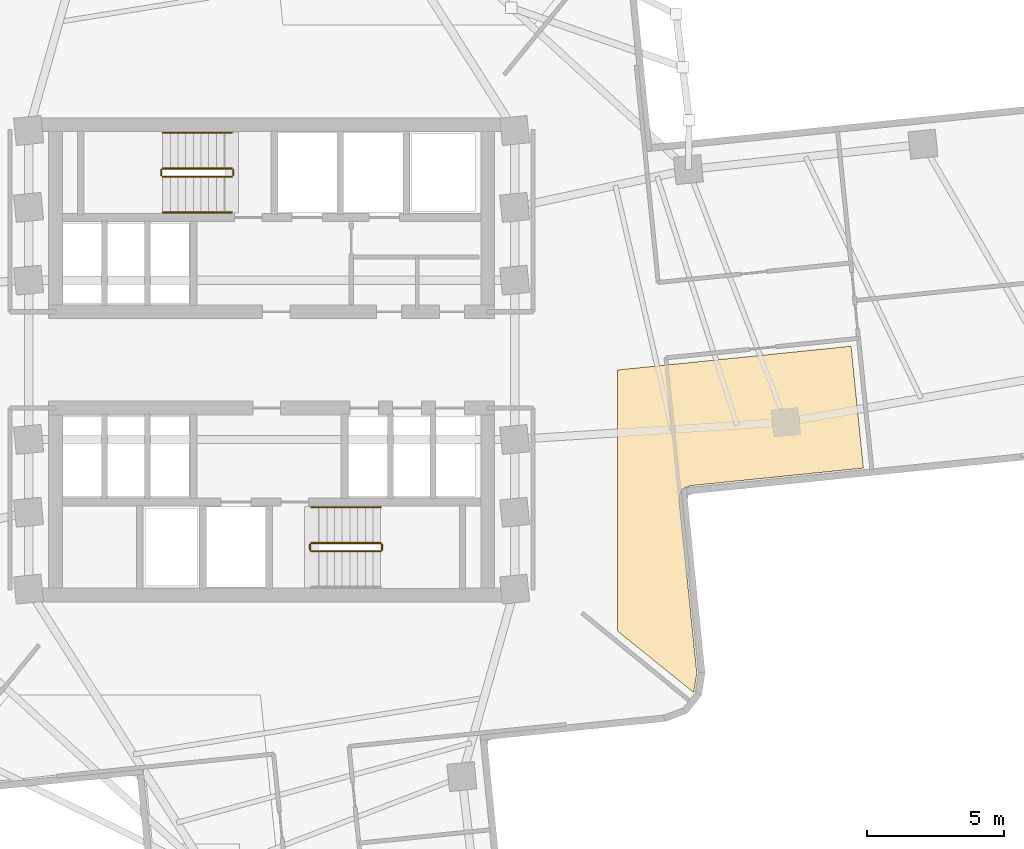
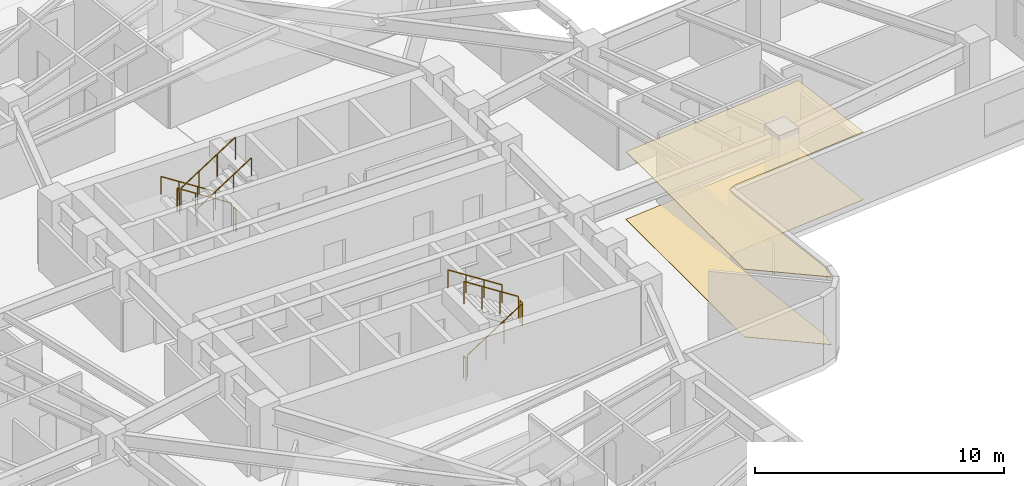
# One storey, part 11 of 12: 11 railings, 2 coverings.
"""IFC4 building model written with IfcOpenShell, lengths in metres."""

from ifc_helpers import new_model, si_unit, direction, frame, origin, origin_2d, place, context, subcontext, project, spatial, polyline, circle, outline, extrude, material, layer, layer_set, type_object, element, save


model = new_model("IFC4")

# Units and contexts
model_context = context("Model", 3, precision=1e-05, world=origin(), true_north=direction((0.0, 1.0)))
body_context = subcontext(model_context, "Body", "Model", "MODEL_VIEW")
ifc_project = project(units=[si_unit("LENGTHUNIT", "METRE"), si_unit("AREAUNIT", "SQUARE_METRE"), si_unit("VOLUMEUNIT", "CUBIC_METRE"), si_unit("PLANEANGLEUNIT", "RADIAN"), si_unit("MASSUNIT", "GRAM", prefix="KILO")], contexts=[model_context])

# Site, building, storey
site_placement = place(None, origin())
site = spatial("IfcSite", under=ifc_project, at=site_placement, CompositionType="ELEMENT")
building_placement = place(site_placement, origin())
building = spatial("IfcBuilding", under=site, at=building_placement, Name="Solmarez Civic Tower", CompositionType="ELEMENT")
storey_placement = place(building_placement, frame((0.0, 0.0, 74.8798828125)))
storey = spatial("IfcBuildingStorey", under=building, at=storey_placement, Name="L19", CompositionType="ELEMENT", Elevation=74.8798828125)

# Coverings
ifc_material_1 = material(Name="Perforated Mineral-Fibre Acoustic Ceiling")
ifc_layer_1 = layer(ifc_material_1, 0.02490234375)
ifc_layer_set_1 = layer_set([ifc_layer_1], Name="Perforated Mineral-Fibre Acoustic Ceiling")
covering_type_1 = type_object("IfcCoveringType", Name="COV-CEIL-ACOUSTIC", PredefinedType="CEILING", material=ifc_layer_set_1)
covering_1_placement = place(storey_placement, frame((0.0, 0.0, 3.315185546875)))
element("IfcCovering", 1, at=covering_1_placement, inside=storey, type_object=covering_type_1, Name="L19 Suspended Acoustic Ceiling 3", PredefinedType="CEILING", context=body_context, shape_type="SweptSolid", body=[
    extrude(outline(polyline([(12.60009765625, -0.368896484375), (12.60009765625, -9.87890625), (15.364013671875, -12.10888671875), (15.367919921875, -12.10302734375), (15.48193359375, -11.404052734375), (14.844970703125, -5.136962890625), (14.843994140625, -5.114990234375), (14.843994140625, -5.10107421875), (14.845947265625, -5.070068359375), (14.847900390625, -5.05908203125), (14.875, -4.888916015625), (14.87890625, -4.87109375), (14.881103515625, -4.863037109375), (14.882080078125, -4.85595703125), (14.884033203125, -4.84912109375), (14.89404296875, -4.822021484375), (14.89697265625, -4.81494140625), (14.89990234375, -4.80810546875), (14.908935546875, -4.7890625), (14.919921875, -4.77099609375), (14.93310546875, -4.75390625), (14.93798828125, -4.748046875), (14.943115234375, -4.741943359375), (14.9560546875, -4.72705078125), (14.9609375, -4.721923828125), (14.97607421875, -4.708984375), (14.98193359375, -4.7041015625), (15.0009765625, -4.68994140625), (15.007080078125, -4.68603515625), (15.02001953125, -4.677978515625), (15.027099609375, -4.674072265625), (15.049072265625, -4.6630859375), (15.055908203125, -4.659912109375), (15.06494140625, -4.656005859375), (15.22509765625, -4.594970703125), (15.242919921875, -4.589111328125), (15.25, -4.5869140625), (15.257080078125, -4.5849609375), (15.285888671875, -4.5791015625), (15.29296875, -4.577880859375), (15.302001953125, -4.576904296875), (21.549072265625, -3.94189453125), (21.097900390625, 0.4951171875), (12.60009765625, -0.368896484375)])), origin(), (0.0, 0.0, 1.0), 0.02490234375),
])
ifc_material_2 = material(Name="Polished Tropical Stone Terrazzo Flooring", Category="masonry")
ifc_layer_2 = layer(ifc_material_2, 0.02001953125)
ifc_layer_set_2 = layer_set([ifc_layer_2], Name="Polished Tropical Stone Terrazzo Flooring")
covering_type_2 = type_object("IfcCoveringType", Name="COV-FLOOR-TERRAZZO", PredefinedType="FLOORING", material=ifc_layer_set_2)
covering_2_placement = place(storey_placement, origin())
element("IfcCovering", 2, at=covering_2_placement, inside=storey, type_object=covering_type_2, Name="L19 Terrazzo Floor Finish 3", PredefinedType="FLOORING", context=body_context, shape_type="SweptSolid", body=[
    extrude(outline(polyline([(12.60009765625, -0.368896484375), (12.60009765625, -9.87890625), (15.364013671875, -12.10888671875), (15.367919921875, -12.10302734375), (15.48193359375, -11.404052734375), (14.844970703125, -5.136962890625), (14.843994140625, -5.114990234375), (14.843994140625, -5.10107421875), (14.845947265625, -5.070068359375), (14.847900390625, -5.05908203125), (14.875, -4.888916015625), (14.87890625, -4.87109375), (14.881103515625, -4.863037109375), (14.882080078125, -4.85595703125), (14.884033203125, -4.84912109375), (14.89404296875, -4.822021484375), (14.89697265625, -4.81494140625), (14.89990234375, -4.80810546875), (14.908935546875, -4.7890625), (14.919921875, -4.77099609375), (14.93310546875, -4.75390625), (14.93798828125, -4.748046875), (14.943115234375, -4.741943359375), (14.9560546875, -4.72705078125), (14.9609375, -4.721923828125), (14.97607421875, -4.708984375), (14.98193359375, -4.7041015625), (15.0009765625, -4.68994140625), (15.007080078125, -4.68603515625), (15.02001953125, -4.677978515625), (15.027099609375, -4.674072265625), (15.049072265625, -4.6630859375), (15.055908203125, -4.659912109375), (15.06494140625, -4.656005859375), (15.22509765625, -4.594970703125), (15.242919921875, -4.589111328125), (15.25, -4.5869140625), (15.257080078125, -4.5849609375), (15.285888671875, -4.5791015625), (15.29296875, -4.577880859375), (15.302001953125, -4.576904296875), (21.549072265625, -3.94189453125), (21.097900390625, 0.4951171875), (12.60009765625, -0.368896484375)])), origin(), (0.0, 0.0, 1.0), 0.02001953125),
])

# Railings
ifc_material_3 = material(Name="Painted Steel Stairwell Safety Guard", Category="steel")
railing_type_1 = type_object("IfcRailingType", Name="GUARD-STAIR-1120", PredefinedType="BALUSTRADE", material=ifc_material_3)
railing_1_placement = place(storey_placement, frame((-1.449951171875, 6.969970703125, 0.18017578125)))
element("IfcRailing", 3, at=railing_1_placement, inside=storey, type_object=railing_type_1, Name="L19 ST-1 stair guard 1", PredefinedType="BALUSTRADE", context=body_context, shape_type="SweptSolid", body=[
    extrude(circle(Radius=0.02392578125, at=origin_2d()), frame((0.0, 0.0, 1.09619140625), z_axis=(-0.841199657755, 0.0, 0.540724639528), x_axis=(0.0, -1.0, 0.0)), (0.0, 0.0, 1.0), 2.995849609375),
    extrude(circle(Radius=0.02099609375, at=origin_2d()), origin(), (0.0, 0.0, 1.0), 1.072021484375),
    extrude(circle(Radius=0.02099609375, at=origin_2d()), frame((-0.840087890625, 0.0, 0.5400390625)), (0.0, 0.0, 1.0), 1.072021484375),
    extrude(circle(Radius=0.02099609375, at=origin_2d()), frame((-1.679931640625, 0.0, 1.079833984375)), (0.0, 0.0, 1.0), 1.072021484375),
    extrude(circle(Radius=0.02099609375, at=origin_2d()), frame((-2.52001953125, 0.0, 1.619873046875)), (0.0, 0.0, 1.0), 1.072021484375),
])
railing_2_placement = place(storey_placement, frame((-4.02001953125, 6.919921875, 1.800048828125)))
element("IfcRailing", 4, at=railing_2_placement, inside=storey, type_object=railing_type_1, Name="L19 ST-1 stair guard 2", PredefinedType="BALUSTRADE", context=body_context, shape_type="SweptSolid", body=[
    extrude(circle(Radius=0.02392578125, at=origin_2d()), frame((0.0, 0.0, 1.09619140625), z_axis=(0.0, -1.0, 0.0), x_axis=(1.0, 0.0, 0.0)), (0.0, 0.0, 1.0), 0.199951171875),
    extrude(circle(Radius=0.02099609375, at=origin_2d()), origin(), (0.0, 0.0, 1.0), 1.072021484375),
    extrude(circle(Radius=0.02099609375, at=origin_2d()), frame((0.0, -0.199951171875, 0.0)), (0.0, 0.0, 1.0), 1.072021484375),
])
railing_3_placement = place(storey_placement, frame((-3.969970703125, 6.669921875, 1.980224609375)))
element("IfcRailing", 5, at=railing_3_placement, inside=storey, type_object=railing_type_1, Name="L19 ST-1 stair guard 3", PredefinedType="BALUSTRADE", context=body_context, shape_type="SweptSolid", body=[
    extrude(circle(Radius=0.02392578125, at=origin_2d()), frame((0.0, 0.0, 1.09619140625), z_axis=(0.841199657755, 0.0, 0.540724639528), x_axis=(0.0, 1.0, 0.0)), (0.0, 0.0, 1.0), 2.995849609375),
    extrude(circle(Radius=0.02099609375, at=origin_2d()), origin(), (0.0, 0.0, 1.0), 1.072021484375),
    extrude(circle(Radius=0.02099609375, at=origin_2d()), frame((0.840087890625, 0.0, 0.5400390625)), (0.0, 0.0, 1.0), 1.072021484375),
    extrude(circle(Radius=0.02099609375, at=origin_2d()), frame((1.679931640625, 0.0, 1.079833984375)), (0.0, 0.0, 1.0), 1.072021484375),
    extrude(circle(Radius=0.02099609375, at=origin_2d()), frame((2.52001953125, 0.0, 1.619873046875)), (0.0, 0.0, 1.0), 1.072021484375),
])
railing_4_placement = place(storey_placement, frame((-1.39990234375, 6.919921875, 0.0)))
element("IfcRailing", 6, at=railing_4_placement, inside=storey, type_object=railing_type_1, Name="L19 ST-1 stair guard 4", PredefinedType="BALUSTRADE", context=body_context, shape_type="SweptSolid", body=[
    extrude(circle(Radius=0.02392578125, at=origin_2d()), frame((0.0, 0.0, 1.09619140625), z_axis=(0.0, -1.0, 0.0), x_axis=(1.0, 0.0, 0.0)), (0.0, 0.0, 1.0), 0.199951171875),
    extrude(circle(Radius=0.02099609375, at=origin_2d()), origin(), (0.0, 0.0, 1.0), 1.072021484375),
    extrude(circle(Radius=0.02099609375, at=origin_2d()), frame((0.0, -0.199951171875, 0.0)), (0.0, 0.0, 1.0), 1.072021484375),
])
railing_5_placement = place(storey_placement, frame((1.449951171875, -6.969970703125, 0.18017578125)))
element("IfcRailing", 7, at=railing_5_placement, inside=storey, type_object=railing_type_1, Name="L19 ST-2 stair guard 1", PredefinedType="BALUSTRADE", context=body_context, shape_type="SweptSolid", body=[
    extrude(circle(Radius=0.02392578125, at=origin_2d()), frame((0.0, 0.0, 1.09619140625), z_axis=(0.841199657755, 0.0, 0.540724639528), x_axis=(0.0, 1.0, 0.0)), (0.0, 0.0, 1.0), 2.995849609375),
    extrude(circle(Radius=0.02099609375, at=origin_2d()), origin(), (0.0, 0.0, 1.0), 1.072021484375),
    extrude(circle(Radius=0.02099609375, at=origin_2d()), frame((0.840087890625, 0.0, 0.5400390625)), (0.0, 0.0, 1.0), 1.072021484375),
    extrude(circle(Radius=0.02099609375, at=origin_2d()), frame((1.679931640625, 0.0, 1.079833984375)), (0.0, 0.0, 1.0), 1.072021484375),
    extrude(circle(Radius=0.02099609375, at=origin_2d()), frame((2.52001953125, 0.0, 1.619873046875)), (0.0, 0.0, 1.0), 1.072021484375),
])
railing_6_placement = place(storey_placement, frame((4.02001953125, -6.919921875, 1.800048828125)))
element("IfcRailing", 8, at=railing_6_placement, inside=storey, type_object=railing_type_1, Name="L19 ST-2 stair guard 2", PredefinedType="BALUSTRADE", context=body_context, shape_type="SweptSolid", body=[
    extrude(circle(Radius=0.02392578125, at=origin_2d()), frame((0.0, 0.0, 1.09619140625), z_axis=(0.0, 1.0, 0.0), x_axis=(-1.0, 0.0, 0.0)), (0.0, 0.0, 1.0), 0.199951171875),
    extrude(circle(Radius=0.02099609375, at=origin_2d()), origin(), (0.0, 0.0, 1.0), 1.072021484375),
    extrude(circle(Radius=0.02099609375, at=origin_2d()), frame((0.0, 0.199951171875, 0.0)), (0.0, 0.0, 1.0), 1.072021484375),
])
railing_7_placement = place(storey_placement, frame((3.969970703125, -6.669921875, 1.980224609375)))
element("IfcRailing", 9, at=railing_7_placement, inside=storey, type_object=railing_type_1, Name="L19 ST-2 stair guard 3", PredefinedType="BALUSTRADE", context=body_context, shape_type="SweptSolid", body=[
    extrude(circle(Radius=0.02392578125, at=origin_2d()), frame((0.0, 0.0, 1.09619140625), z_axis=(-0.841199657755, 0.0, 0.540724639528), x_axis=(0.0, -1.0, 0.0)), (0.0, 0.0, 1.0), 2.995849609375),
    extrude(circle(Radius=0.02099609375, at=origin_2d()), origin(), (0.0, 0.0, 1.0), 1.072021484375),
    extrude(circle(Radius=0.02099609375, at=origin_2d()), frame((-0.840087890625, 0.0, 0.5400390625)), (0.0, 0.0, 1.0), 1.072021484375),
    extrude(circle(Radius=0.02099609375, at=origin_2d()), frame((-1.679931640625, 0.0, 1.079833984375)), (0.0, 0.0, 1.0), 1.072021484375),
    extrude(circle(Radius=0.02099609375, at=origin_2d()), frame((-2.52001953125, 0.0, 1.619873046875)), (0.0, 0.0, 1.0), 1.072021484375),
])
railing_8_placement = place(storey_placement, frame((1.39990234375, -6.919921875, 0.0)))
element("IfcRailing", 10, at=railing_8_placement, inside=storey, type_object=railing_type_1, Name="L19 ST-2 stair guard 4", PredefinedType="BALUSTRADE", context=body_context, shape_type="SweptSolid", body=[
    extrude(circle(Radius=0.02392578125, at=origin_2d()), frame((0.0, 0.0, 1.09619140625), z_axis=(0.0, 1.0, 0.0), x_axis=(-1.0, 0.0, 0.0)), (0.0, 0.0, 1.0), 0.199951171875),
    extrude(circle(Radius=0.02099609375, at=origin_2d()), origin(), (0.0, 0.0, 1.0), 1.072021484375),
    extrude(circle(Radius=0.02099609375, at=origin_2d()), frame((0.0, 0.199951171875, 0.0)), (0.0, 0.0, 1.0), 1.072021484375),
])
ifc_material_4 = material(Name="Brushed Stainless Steel Tube Handrail", Category="steel")
railing_type_2 = type_object("IfcRailingType", Name="HANDRAIL-STAIR-900", PredefinedType="HANDRAIL", material=ifc_material_4)
railing_9_placement = place(storey_placement, frame((-1.449951171875, 8.27001953125, 0.18017578125)))
element("IfcRailing", 11, at=railing_9_placement, inside=storey, type_object=railing_type_2, Name="L19 ST-1 stair handrail 1", PredefinedType="HANDRAIL", context=body_context, shape_type="SweptSolid", body=[
    extrude(circle(Radius=0.02392578125, at=origin_2d()), frame((0.0, 0.0, 0.8759765625), z_axis=(-0.841199657755, 0.0, 0.540724639528), x_axis=(0.0, -1.0, 0.0)), (0.0, 0.0, 1.0), 2.995849609375),
    extrude(circle(Radius=0.02099609375, at=origin_2d()), origin(), (0.0, 0.0, 1.0), 0.851806640625),
    extrude(circle(Radius=0.02099609375, at=origin_2d()), frame((-0.840087890625, 0.0, 0.5400390625)), (0.0, 0.0, 1.0), 0.851806640625),
    extrude(circle(Radius=0.02099609375, at=origin_2d()), frame((-1.679931640625, 0.0, 1.079833984375)), (0.0, 0.0, 1.0), 0.851806640625),
    extrude(circle(Radius=0.02099609375, at=origin_2d()), frame((-2.52001953125, 0.0, 1.619873046875)), (0.0, 0.0, 1.0), 0.851806640625),
])
railing_10_placement = place(storey_placement, frame((-3.969970703125, 5.3701171875, 1.980224609375)))
element("IfcRailing", 12, at=railing_10_placement, inside=storey, type_object=railing_type_2, Name="L19 ST-1 stair handrail 2", PredefinedType="HANDRAIL", context=body_context, shape_type="SweptSolid", body=[
    extrude(circle(Radius=0.02392578125, at=origin_2d()), frame((0.0, 0.0, 0.8759765625), z_axis=(0.841199657755, 0.0, 0.540724639528), x_axis=(0.0, 1.0, 0.0)), (0.0, 0.0, 1.0), 2.995849609375),
    extrude(circle(Radius=0.02099609375, at=origin_2d()), origin(), (0.0, 0.0, 1.0), 0.851806640625),
    extrude(circle(Radius=0.02099609375, at=origin_2d()), frame((0.840087890625, 0.0, 0.5400390625)), (0.0, 0.0, 1.0), 0.851806640625),
    extrude(circle(Radius=0.02099609375, at=origin_2d()), frame((1.679931640625, 0.0, 1.079833984375)), (0.0, 0.0, 1.0), 0.851806640625),
    extrude(circle(Radius=0.02099609375, at=origin_2d()), frame((2.52001953125, 0.0, 1.619873046875)), (0.0, 0.0, 1.0), 0.851806640625),
])
railing_11_placement = place(storey_placement, frame((3.969970703125, -5.3701171875, 1.980224609375)))
element("IfcRailing", 13, at=railing_11_placement, inside=storey, type_object=railing_type_2, Name="L19 ST-2 stair handrail 2", PredefinedType="HANDRAIL", context=body_context, shape_type="SweptSolid", body=[
    extrude(circle(Radius=0.02392578125, at=origin_2d()), frame((0.0, 0.0, 0.8759765625), z_axis=(-0.841199657755, 0.0, 0.540724639528), x_axis=(0.0, -1.0, 0.0)), (0.0, 0.0, 1.0), 2.995849609375),
    extrude(circle(Radius=0.02099609375, at=origin_2d()), origin(), (0.0, 0.0, 1.0), 0.851806640625),
    extrude(circle(Radius=0.02099609375, at=origin_2d()), frame((-0.840087890625, 0.0, 0.5400390625)), (0.0, 0.0, 1.0), 0.851806640625),
    extrude(circle(Radius=0.02099609375, at=origin_2d()), frame((-1.679931640625, 0.0, 1.079833984375)), (0.0, 0.0, 1.0), 0.851806640625),
    extrude(circle(Radius=0.02099609375, at=origin_2d()), frame((-2.52001953125, 0.0, 1.619873046875)), (0.0, 0.0, 1.0), 0.851806640625),
])

save(model, "model.ifc")
